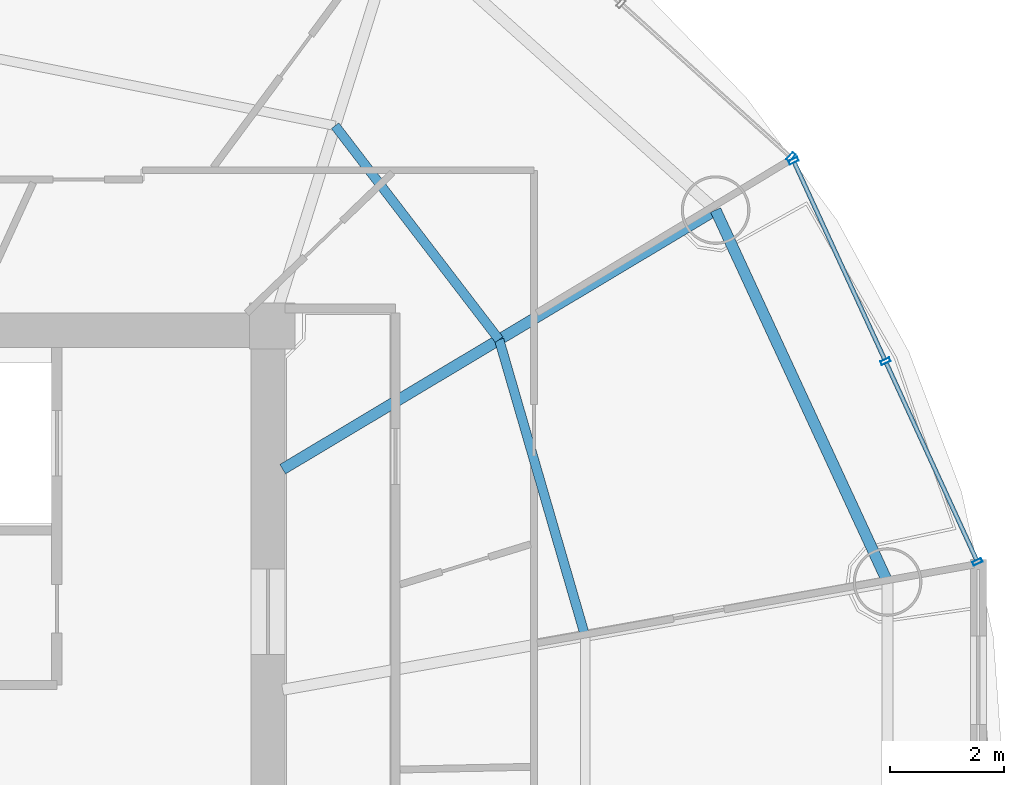
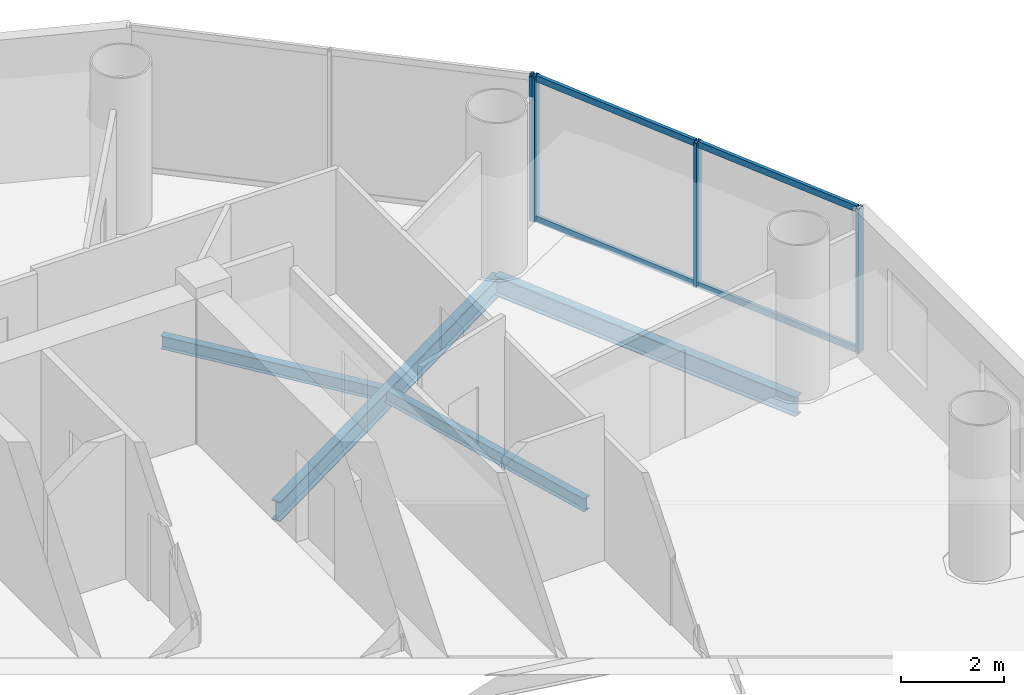
# One storey, part 13 of 26: 8 members, 4 beams, 2 elements without a shape of their own.
"""IFC4 building model written with IfcOpenShell, lengths in metres."""

from ifc_helpers import new_model, si_unit, direction, frame, origin, origin_2d, place, context, subcontext, project, spatial, hollow_rectangle, i_section, extrude, source, transform, mapped, material, material_profile, profile_set, type_object, element, aggregate, save


model = new_model("IFC4")

# Units and contexts
model_context = context("Model", 3, precision=1e-05, world=origin(), true_north=direction((-0.2419218956, 0.970295726276)))
body_context = subcontext(model_context, "Body", "Model", "MODEL_VIEW")
ifc_project = project(units=[si_unit("LENGTHUNIT", "METRE"), si_unit("AREAUNIT", "SQUARE_METRE"), si_unit("VOLUMEUNIT", "CUBIC_METRE"), si_unit("PLANEANGLEUNIT", "RADIAN"), si_unit("MASSUNIT", "GRAM", prefix="KILO")], contexts=[model_context])

# Site, building, storey
site_placement = place(None, origin())
site = spatial("IfcSite", under=ifc_project, at=site_placement, CompositionType="ELEMENT")
building_placement = place(site_placement, origin())
building = spatial("IfcBuilding", under=site, at=building_placement, Name="Cobrevalo Terracotta Tower", CompositionType="ELEMENT")
storey_placement = place(building_placement, frame((0.0, 0.0, 202.300048828125)))
storey = spatial("IfcBuildingStorey", under=building, at=storey_placement, Name="L53", CompositionType="ELEMENT", Elevation=202.300048828125)

# Beams
ifc_material_1 = material(Name="Steel S355", Category="steel")
ifc_material_profile_1 = material_profile(ifc_material_1, i_section(OverallWidth=0.194091796875, OverallDepth=0.468994140625, WebThickness=0.011474609375, FlangeThickness=0.0205078125, at=origin_2d()), Name="W 460x106")
ifc_profile_set_1 = profile_set([ifc_material_profile_1], Name="Steel S355")
beam_type_1 = type_object("IfcBeamType", Name="Structural Beam W 460x106 (Steel S355)", PredefinedType="BEAM", material=ifc_profile_set_1)
beam_1_placement = place(storey_placement, frame((54.754150390625, 36.828125, -0.49951171875), z_axis=(-0.858046392192, -0.513572184651, 0.0), x_axis=(0.513572184651, -0.858046392192, 0.0)))
element("IfcBeam", 1, at=beam_1_placement, inside=storey, type_object=beam_type_1, Name="L53 radial floor girder 02", PredefinedType="BEAM", context=body_context, shape_type="SweptSolid", body=[
    extrude(i_section(OverallWidth=0.194091796875, OverallDepth=0.468994140625, WebThickness=0.011474609375, FlangeThickness=0.0205078125, at=origin_2d()), origin(), (0.0, 0.0, 1.0), 8.827392578125),
])
ifc_material_profile_2 = material_profile(ifc_material_1, i_section(OverallWidth=0.1650390625, OverallDepth=0.31005859375, WebThickness=0.005859375, FlangeThickness=0.009765625, at=origin_2d()), Name="W 310x38.7")
ifc_profile_set_2 = profile_set([ifc_material_profile_2], Name="Steel S355")
beam_type_2 = type_object("IfcBeamType", Name="Structural Joist W 310x38.7 (Steel S355)", PredefinedType="JOIST", material=ifc_profile_set_2)
beam_2_placement = place(storey_placement, frame((52.471435546875, 29.378662109375, -0.420166015625), z_axis=(-0.278769817131, 0.960357948401, 0.0), x_axis=(-0.960357948401, -0.278769817131, 0.0)))
element("IfcBeam", 2, at=beam_2_placement, inside=storey, type_object=beam_type_2, Name="L53 circumferential secondary floor joist 01", PredefinedType="JOIST", context=body_context, shape_type="SweptSolid", body=[
    extrude(i_section(OverallWidth=0.1650390625, OverallDepth=0.31005859375, WebThickness=0.005859375, FlangeThickness=0.009765625, at=origin_2d()), origin(), (0.0, 0.0, 1.0), 5.396484375),
])
beam_3_placement = place(storey_placement, frame((50.967041015625, 34.561279296875, -0.420166015625), z_axis=(-0.608464146296, 0.793581364872, 0.0), x_axis=(-0.793581364872, -0.608464146296, 0.0)))
element("IfcBeam", 3, at=beam_3_placement, inside=storey, type_object=beam_type_2, Name="L53 circumferential secondary floor joist 02", PredefinedType="JOIST", context=body_context, shape_type="SweptSolid", body=[
    extrude(i_section(OverallWidth=0.1650390625, OverallDepth=0.31005859375, WebThickness=0.005859375, FlangeThickness=0.009765625, at=origin_2d()), origin(), (0.0, 0.0, 1.0), 4.716064453125),
])
ifc_material_profile_3 = material_profile(ifc_material_1, i_section(OverallWidth=0.194091796875, OverallDepth=0.468994140625, WebThickness=0.011474609375, FlangeThickness=0.0205078125, at=origin_2d()), Name="W 460x106")
ifc_profile_set_3 = profile_set([ifc_material_profile_3], Name="Steel S355")
beam_type_3 = type_object("IfcBeamType", Name="Structural Spandrel W 460x106 (Steel S355)", PredefinedType="SPANDREL", material=ifc_profile_set_3)
beam_4_placement = place(storey_placement, frame((57.762939453125, 30.3212890625, -0.49951171875), z_axis=(-0.419705965131, 0.907660125176, 0.0), x_axis=(-0.907660125176, -0.419705965131, 0.0)))
element("IfcBeam", 4, at=beam_4_placement, inside=storey, type_object=beam_type_3, Name="L53 perimeter ring spandrel 01", PredefinedType="SPANDREL", context=body_context, shape_type="SweptSolid", body=[
    extrude(i_section(OverallWidth=0.194091796875, OverallDepth=0.468994140625, WebThickness=0.011474609375, FlangeThickness=0.0205078125, at=origin_2d()), origin(), (0.0, 0.0, 1.0), 7.168701171875),
])

# Curtain wall, members
ifc_material_2 = material(Name="Anodized aluminium", Category="aluminium")
curtain_wall_type = type_object("IfcCurtainWallType", Name="Mid-tower high-wind unitised curtain wall CW-U2", PredefinedType="NOTDEFINED", material=ifc_material_2)
curtain_wall_1_placement = place(storey_placement, origin())
curtain_wall_1 = element("IfcCurtainWall", 5, at=curtain_wall_1_placement, inside=storey, type_object=curtain_wall_type, Name="L53 curtain wall CW-L53-S01", PredefinedType="NOTDEFINED")
ifc_material_profile_4 = material_profile(ifc_material_2, hollow_rectangle(XDim=0.074951171875, YDim=0.14990234375, WallThickness=0.00439453125, at=origin_2d()), Name="CWT 75x150")
ifc_profile_set_4 = profile_set([ifc_material_profile_4], Name="Anodized aluminium")
member_type_1 = type_object("IfcMemberType", Name="Tower unitised aluminium transom 75x150", PredefinedType="USERDEFINED", material=ifc_profile_set_4)
shared_shape_1 = source(origin(), body_context, "Body", "SweptSolid", [
    extrude(hollow_rectangle(XDim=0.074951171875, YDim=0.14990234375, WallThickness=0.00439453125, at=origin_2d()), origin(), (0.0, 0.0, 1.0), 3.780029296875),
])
member_1_placement = place(storey_placement, frame((59.318359375, 30.710205078125, 0.050048828125), z_axis=(-0.416705859352, 0.909041377926, 0.0), x_axis=(-0.909041377926, -0.416705859352, 0.0)))
member_1 = element("IfcMember", 6, at=member_1_placement, type_object=member_type_1, Name="CW-L53-S01 transom B01-T1", ObjectType="TRANSOM", PredefinedType="USERDEFINED", context=body_context, shape_type="MappedRepresentation", body=[
    mapped(shared_shape_1, transform((0.0, 0.0, 0.0), scale=1.0)),
])
member_2_placement = place(storey_placement, frame((59.318359375, 30.710205078125, 3.385009765625), z_axis=(-0.416705859352, 0.909041377926, 0.0), x_axis=(-0.909041377926, -0.416705859352, 0.0)))
member_2 = element("IfcMember", 7, at=member_2_placement, type_object=member_type_1, Name="CW-L53-S01 transom B01-T2", ObjectType="TRANSOM", PredefinedType="USERDEFINED", context=body_context, shape_type="MappedRepresentation", body=[
    mapped(shared_shape_1, transform((0.0, 0.0, 0.0), scale=1.0)),
])
member_3_placement = place(storey_placement, frame((57.709716796875, 34.218994140625, 0.050048828125), z_axis=(-0.416705859352, 0.909041377926, 0.0), x_axis=(-0.909041377926, -0.416705859352, 0.0)))
member_3 = element("IfcMember", 8, at=member_3_placement, type_object=member_type_1, Name="CW-L53-S01 transom B02-T1", ObjectType="TRANSOM", PredefinedType="USERDEFINED", context=body_context, shape_type="MappedRepresentation", body=[
    mapped(shared_shape_1, transform((0.0, 0.0, 0.0), scale=1.0)),
])
member_4_placement = place(storey_placement, frame((57.709716796875, 34.218994140625, 3.385009765625), z_axis=(-0.416705859352, 0.909041377926, 0.0), x_axis=(-0.909041377926, -0.416705859352, 0.0)))
member_4 = element("IfcMember", 9, at=member_4_placement, type_object=member_type_1, Name="CW-L53-S01 transom B02-T2", ObjectType="TRANSOM", PredefinedType="USERDEFINED", context=body_context, shape_type="MappedRepresentation", body=[
    mapped(shared_shape_1, transform((0.0, 0.0, 0.0), scale=1.0)),
])
ifc_material_profile_5 = material_profile(ifc_material_2, hollow_rectangle(XDim=0.070068359375, YDim=0.169921875, WallThickness=0.00439453125, at=origin_2d()), Name="CWM 70x170")
ifc_profile_set_5 = profile_set([ifc_material_profile_5], Name="Anodized aluminium")
member_type_2 = type_object("IfcMemberType", Name="Upper tower unitised mullion 70x170", PredefinedType="MULLION", material=ifc_profile_set_5)
shared_shape_2 = source(origin(), body_context, "Body", "SweptSolid", [
    extrude(hollow_rectangle(XDim=0.070068359375, YDim=0.169921875, WallThickness=0.00439453125, at=origin_2d()), origin(), (0.0, 0.0, 1.0), 3.43505859375),
])
member_5_placement = place(storey_placement, frame((59.3349609375, 30.673828125, 0.0), z_axis=(0.0, 0.0, 1.0), x_axis=(-0.41672507912, 0.909032567311, 0.0)))
member_5 = element("IfcMember", 10, at=member_5_placement, type_object=member_type_2, Name="CW-L53-S01 vertical mullion 01", PredefinedType="MULLION", context=body_context, shape_type="MappedRepresentation", body=[
    mapped(shared_shape_2, transform((0.0, 0.0, 0.0), scale=1.0)),
])
member_6_placement = place(storey_placement, frame((57.726318359375, 34.182861328125, 0.0), z_axis=(0.0, 0.0, 1.0), x_axis=(-0.41672507912, 0.909032567311, 0.0)))
member_6 = element("IfcMember", 11, at=member_6_placement, type_object=member_type_2, Name="CW-L53-S01 vertical mullion 02", PredefinedType="MULLION", context=body_context, shape_type="MappedRepresentation", body=[
    mapped(shared_shape_2, transform((0.0, 0.0, 0.0), scale=1.0)),
])
member_7_placement = place(storey_placement, frame((56.11767578125, 37.691650390625, 0.0), z_axis=(0.0, 0.0, 1.0), x_axis=(-0.41672507912, 0.909032567311, 0.0)))
member_7 = element("IfcMember", 12, at=member_7_placement, type_object=member_type_2, Name="CW-L53-S01 vertical mullion 03", PredefinedType="MULLION", context=body_context, shape_type="MappedRepresentation", body=[
    mapped(shared_shape_2, transform((0.0, 0.0, 0.0), scale=1.0)),
])
aggregate(curtain_wall_1, [member_5, member_6, member_7, member_1, member_2, member_3, member_4])

# Curtain wall, member
curtain_wall_2_placement = place(storey_placement, origin())
curtain_wall_2 = element("IfcCurtainWall", 13, at=curtain_wall_2_placement, inside=storey, type_object=curtain_wall_type, Name="L53 curtain wall CW-L53-S02", PredefinedType="NOTDEFINED")
member_8_placement = place(storey_placement, frame((56.071533203125, 37.7548828125, 0.0), z_axis=(0.0, 0.0, 1.0), x_axis=(-0.741987542015, 0.670413668935, 0.0)))
member_8 = element("IfcMember", 14, at=member_8_placement, type_object=member_type_2, Name="CW-L53-S02 vertical mullion 01", PredefinedType="MULLION", context=body_context, shape_type="MappedRepresentation", body=[
    mapped(shared_shape_2, transform((0.0, 0.0, 0.0), scale=1.0)),
])
aggregate(curtain_wall_2, [member_8])

save(model, "model.ifc")
